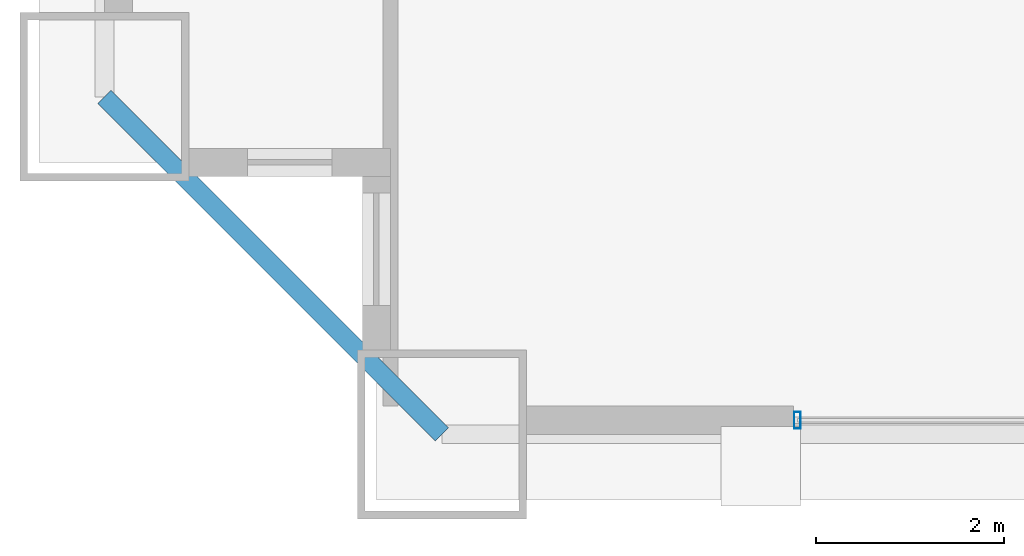
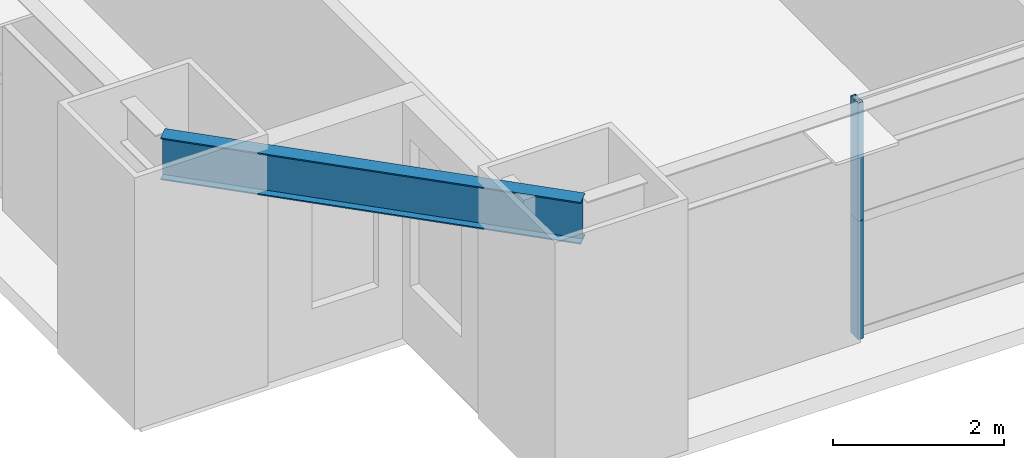
# One storey, part 3 of 43: 2 members, 1 beam, 1 element without a shape of its own.
"""IFC4 building model written with IfcOpenShell, lengths in metres."""

from ifc_helpers import new_model, si_unit, direction, frame, origin, origin_2d, place, context, subcontext, project, spatial, hollow_rectangle, i_section, extrude, source, transform, mapped, material, layer, layer_set, material_profile, profile_set, type_object, element, aggregate, save


model = new_model("IFC4")

# Units and contexts
model_context = context("Model", 3, precision=1e-05, world=origin(), true_north=direction((0.0, 1.0)))
body_context = subcontext(model_context, "Body", "Model", "MODEL_VIEW")
ifc_project = project(units=[si_unit("LENGTHUNIT", "METRE"), si_unit("AREAUNIT", "SQUARE_METRE"), si_unit("VOLUMEUNIT", "CUBIC_METRE"), si_unit("PLANEANGLEUNIT", "RADIAN"), si_unit("MASSUNIT", "GRAM", prefix="KILO"), si_unit("THERMODYNAMICTEMPERATUREUNIT", "KELVIN"), si_unit("POWERUNIT", "WATT")], contexts=[model_context])

# Site, building, storey
site_placement = place(None, origin())
site = spatial("IfcSite", under=ifc_project, at=site_placement, CompositionType="ELEMENT")
building_placement = place(site_placement, origin())
building = spatial("IfcBuilding", under=site, at=building_placement, Name="Yuzanri Waterfront Tower", CompositionType="ELEMENT")
storey_placement = place(building_placement, frame((0.0, 0.0, 78.39990234375)))
storey = spatial("IfcBuildingStorey", under=building, at=storey_placement, Name="L20", CompositionType="ELEMENT", Elevation=78.39990234375)

# Beam
ifc_material_1 = material(Name="Steel Q355B", Category="steel")
ifc_material_profile_1 = material_profile(ifc_material_1, i_section(OverallWidth=0.199951171875, OverallDepth=0.60009765625, WebThickness=0.010986328125, FlangeThickness=0.01708984375, at=origin_2d()), Name="HN 600x200x11x17")
ifc_profile_set_1 = profile_set([ifc_material_profile_1], Name="Steel Q355B")
beam_type = type_object("IfcBeamType", Name="Perimeter Spandrel Q355B HN 600x200", PredefinedType="SPANDREL", material=ifc_profile_set_1)
shared_shape_1 = source(origin(), body_context, "Body", "SweptSolid", [
    extrude(i_section(OverallWidth=0.199951171875, OverallDepth=0.60009765625, WebThickness=0.010986328125, FlangeThickness=0.01708984375, at=origin_2d()), origin(), (0.0, 0.0, 1.0), 5.09130859375),
])
beam_placement = place(storey_placement, frame((11.89990234375, 4.300048828125, 3.080078125), z_axis=(0.707106781187, -0.707106781187, 0.0), x_axis=(0.707106781187, 0.707106781187, 0.0)))
element("IfcBeam", 1, at=beam_placement, inside=storey, type_object=beam_type, Name="L20 Perimeter Spandrel W1-S1", PredefinedType="SPANDREL", context=body_context, shape_type="MappedRepresentation", body=[
    mapped(shared_shape_1, transform((0.0, 0.0, 0.0), scale=1.0)),
])

# Curtain wall, members
ifc_material_2 = material(Name="Anodized Architectural Bronze", Category="metal")
ifc_layer = layer(ifc_material_2, 0.159912109375)
ifc_layer_set = layer_set([ifc_layer], Name="Anodized Architectural Bronze")
curtain_wall_type = type_object("IfcCurtainWallType", Name="Anodized Bronze Hotel Lower-Tier Recessed Unitized Curtain Wall 8100", PredefinedType="NOTDEFINED", material=ifc_layer_set)
curtain_wall_placement = place(storey_placement, origin())
curtain_wall = element("IfcCurtainWall", 2, at=curtain_wall_placement, inside=storey, type_object=curtain_wall_type, Name="L20 Curtain Wall CW-L20-SL", PredefinedType="NOTDEFINED")
ifc_material_3 = material(Name="Anodized Architectural Bronze", Category="metal")
ifc_material_profile_2 = material_profile(ifc_material_3, hollow_rectangle(XDim=0.070068359375, YDim=0.179931640625, WallThickness=0.00390625, at=origin_2d()), Name="CWM 70x180")
ifc_profile_set_2 = profile_set([ifc_material_profile_2], Name="Anodized Architectural Bronze")
member_type = type_object("IfcMemberType", Name="Anodized Bronze Standard Curtain-Wall Mullion 70x180", PredefinedType="MULLION", material=ifc_profile_set_2)
shared_shape_2 = source(origin(), body_context, "Body", "SweptSolid", [
    extrude(hollow_rectangle(XDim=0.070068359375, YDim=0.179931640625, WallThickness=0.00390625, at=origin_2d()), origin(), (0.0, 0.0, 1.0), 1.68798828125),
])
member_1_placement = place(storey_placement, frame((19.2900390625, 0.85009765625, 0.0), z_axis=(0.0, 0.0, 1.0), x_axis=(1.0, 0.0, 0.0)))
member_1 = element("IfcMember", 3, at=member_1_placement, type_object=member_type, Name="CW-L20-SL Lower Mullion 00", PredefinedType="MULLION", context=body_context, shape_type="MappedRepresentation", body=[
    mapped(shared_shape_2, transform((0.0, 0.0, 0.0), scale=1.0)),
])
member_2_placement = place(storey_placement, frame((19.2900390625, 0.85009765625, 1.692138671875), z_axis=(0.0, 0.0, 1.0), x_axis=(1.0, 0.0, 0.0)))
member_2 = element("IfcMember", 4, at=member_2_placement, type_object=member_type, Name="CW-L20-SL Upper Mullion 00", PredefinedType="MULLION", context=body_context, shape_type="MappedRepresentation", body=[
    mapped(shared_shape_2, transform((0.0, 0.0, 0.0), scale=1.0)),
])
aggregate(curtain_wall, [member_1, member_2])

save(model, "model.ifc")
